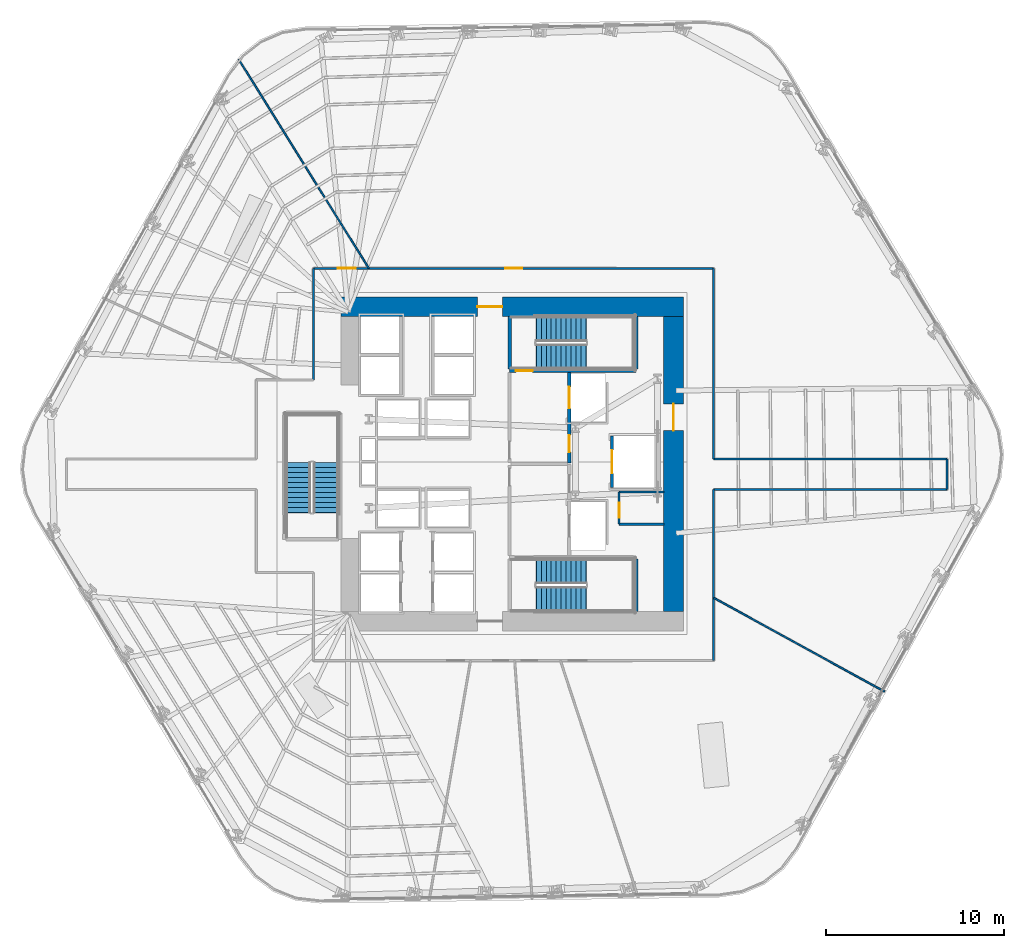
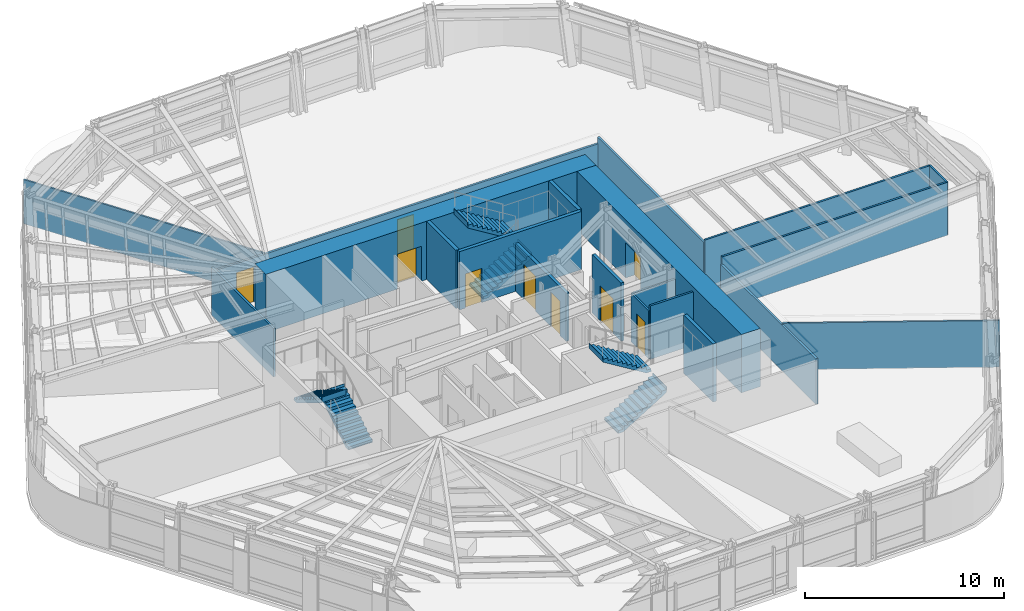
# One storey, part 9 of 15: 20 walls, 9 doors, 6 stair flights, 9 openings, 3 elements without a shape of their own.
"""IFC4 building model written with IfcOpenShell, lengths in metres."""

import ifcopenshell
import ifcopenshell.guid

model = None  # the IFC model being written
_history = None  # IfcOwnerHistory: only IFC2X3 demands one
_inside = {}  # id of a spatial element -> (the spatial element, [elements in it])
_under = {}  # id of a project, library or spatial element -> (it, [spatial elements below it])
_declared = {}  # id of a project -> (the project, [libraries it declares])
_typed = {}  # id of a type object -> (the type object, [elements of that type])
_made_of = {}  # id of a material, layer set ... -> (it, [elements and type objects made of it])


def new_model(schema):
    """Start an empty IFC model of exactly this schema.

    Asked for "IFC4X3", IfcOpenShell would pick the latest addendum, in which some entities
    have other attributes; the version numbers below select the first issue.
    IFC2X3 requires an IfcOwnerHistory on every rooted entity: one is made here for all.
    """
    global model, _history
    if schema == "IFC4X3":
        model = ifcopenshell.file(schema_version=(4, 3, 0, 0))
    else:
        model = ifcopenshell.file(schema=schema)
    _inside.clear()
    _under.clear()
    _declared.clear()
    _typed.clear()
    _made_of.clear()
    _history = None
    if model.schema == "IFC2X3":
        org = make("IfcOrganization", Name="unknown")
        user = make(
            "IfcPersonAndOrganization",
            ThePerson=make("IfcPerson", FamilyName="unknown"),
            TheOrganization=org,
        )
        app = make(
            "IfcApplication",
            ApplicationDeveloper=org,
            Version="unknown",
            ApplicationFullName="unknown",
            ApplicationIdentifier="unknown",
        )
        _history = make(
            "IfcOwnerHistory",
            OwningUser=user,
            OwningApplication=app,
            ChangeAction="ADDED",
            CreationDate=0,
        )
    return model


def make(cls, **values):
    """One entity of the class cls with the attributes given. An attribute that is None is left unset."""
    return model.create_entity(
        cls, **{name: value for name, value in values.items() if value is not None}
    )


def rooted(cls, **values):
    """An entity with a GlobalId (a new one), such as an element, a storey or a relation."""
    return make(cls, GlobalId=ifcopenshell.guid.new(), OwnerHistory=_history, **values)


def si_unit(unit_type, name, prefix=None):
    """IfcSIUnit, for example si_unit("LENGTHUNIT", "METRE", prefix="MILLI")."""
    return make("IfcSIUnit", UnitType=unit_type, Prefix=prefix, Name=name)


def assignment(units):
    """IfcUnitAssignment: the units of a project."""
    return None if units is None else make("IfcUnitAssignment", Units=units)


def point(xyz):
    """IfcCartesianPoint."""
    return None if xyz is None else make("IfcCartesianPoint", Coordinates=xyz)


def direction(xyz):
    """IfcDirection."""
    return None if xyz is None else make("IfcDirection", DirectionRatios=xyz)


def frame(location, z_axis=None, x_axis=None):
    """IfcAxis2Placement3D, a coordinate frame: its origin and axes. An axis left out is left unset."""
    return make(
        "IfcAxis2Placement3D",
        Location=point(location),
        Axis=direction(z_axis),
        RefDirection=direction(x_axis),
    )


def frame_2d(location, x_axis=None):
    """IfcAxis2Placement2D, a coordinate frame in the plane: its origin and x axis."""
    return make(
        "IfcAxis2Placement2D", Location=point(location), RefDirection=direction(x_axis)
    )


def origin():
    """The frame at (0, 0, 0) with its axes left unset."""
    return frame((0.0, 0.0, 0.0))


def place(relative_to, where):
    """IfcLocalPlacement: puts the frame where relative to a parent placement (None: the world)."""
    return make(
        "IfcLocalPlacement", PlacementRelTo=relative_to, RelativePlacement=where
    )


def context(
    kind, dimensions, precision=None, world=None, true_north=None, identifier=None
):
    """IfcGeometricRepresentationContext, for example the 3D "Model" context."""
    return make(
        "IfcGeometricRepresentationContext",
        ContextIdentifier=identifier,
        ContextType=kind,
        CoordinateSpaceDimension=dimensions,
        Precision=precision,
        WorldCoordinateSystem=world,
        TrueNorth=true_north,
    )


def subcontext(parent, identifier, kind, view, scale=None):
    """IfcGeometricRepresentationSubContext, for example "Body" below "Model"."""
    return make(
        "IfcGeometricRepresentationSubContext",
        ContextIdentifier=identifier,
        ContextType=kind,
        ParentContext=parent,
        TargetScale=scale,
        TargetView=view,
    )


def project(units=None, contexts=None):
    """IfcProject with its units and contexts."""
    return rooted(
        "IfcProject",
        Name="project",
        RepresentationContexts=contexts,
        UnitsInContext=assignment(units),
    )


def spatial(cls, under=None, at=None, **own):
    """A site, building, storey or space (cls), placed at a placement, below another one or the project."""
    s = rooted(cls, ObjectPlacement=at, **own)
    if under is not None:
        _under.setdefault(under.id(), (under, []))[1].append(s)
    return s


def polyline(points):
    """IfcPolyline through the points."""
    return make("IfcPolyline", Points=[point(p) for p in points])


def profile(cls, at=None, kind="AREA", **sizes):
    """A parametric profile (cls). Its sizes go by their IFC names, for example OverallWidth=200.0."""
    return make(cls, ProfileType=kind, Position=at, **sizes)


def rectangle(**sizes):
    """IfcRectangleProfileDef."""
    return profile("IfcRectangleProfileDef", **sizes)


def outline(outer, holes=None, kind="AREA"):
    """IfcArbitraryClosedProfileDef: a profile drawn as a closed curve; with holes, ...WithVoids."""
    if holes is None:
        return make("IfcArbitraryClosedProfileDef", ProfileType=kind, OuterCurve=outer)
    return make(
        "IfcArbitraryProfileDefWithVoids",
        ProfileType=kind,
        OuterCurve=outer,
        InnerCurves=holes,
    )


def extrude(swept, where, along, depth):
    """IfcExtrudedAreaSolid: the profile swept, set in the frame where, extruded along a direction by depth."""
    return make(
        "IfcExtrudedAreaSolid",
        SweptArea=swept,
        Position=where,
        ExtrudedDirection=direction(along),
        Depth=depth,
    )


def shape(context_of_items, identifier, shape_type, items):
    """IfcShapeRepresentation: the items that make up one representation, for example the "Body"."""
    return make(
        "IfcShapeRepresentation",
        ContextOfItems=context_of_items,
        RepresentationIdentifier=identifier,
        RepresentationType=shape_type,
        Items=items,
    )


def material(Name=None, Category=None):
    """IfcMaterial."""
    return make("IfcMaterial", Name=Name, Category=Category)


def layer(
    of_material, thickness, ventilated=None, Name=None, Category=None, Priority=None
):
    """IfcMaterialLayer: one layer of a wall or slab, of a material (None: an air gap)."""
    return make(
        "IfcMaterialLayer",
        Material=of_material,
        LayerThickness=thickness,
        IsVentilated=ventilated,
        Name=Name,
        Category=Category,
        Priority=Priority,
    )


def layer_set(layers, Name=None):
    """IfcMaterialLayerSet."""
    return make("IfcMaterialLayerSet", MaterialLayers=layers, LayerSetName=Name)


def made_of(thing, what):
    """Note that an element or type object is made of a material, layer set ...; save() writes the relation."""
    if what is not None:
        _made_of.setdefault(what.id(), (what, []))[1].append(thing)
    return thing


def type_object(cls, material=None, **own):
    """A type object (cls), such as IfcWallType, which elements share."""
    return made_of(rooted(cls, **own), material)


def element(
    cls,
    number,
    at=None,
    inside=None,
    cuts=None,
    type_object=None,
    material=None,
    context=None,
    identifier="Body",
    shape_type=None,
    held_by="IfcProductDefinitionShape",
    body=None,
    shapes=None,
    **own,
):
    """One element of the class cls, such as IfcWall. Its Tag is "e" and its number.

    at: its placement. inside: the storey or other place that contains it. cuts: it is an
    opening in that element (IfcRelVoidsElement). A single representation is given by context,
    identifier, shape_type and body (its items); several are given by shapes. held_by: the class
    of the entity that holds the representations. save() writes the other relations.
    """
    e = rooted(cls, Tag="e%d" % number, ObjectPlacement=at, **own)
    if body is not None:
        shapes = [shape(context, identifier, shape_type, body)]
    if shapes is not None:
        e.Representation = make(held_by, Representations=shapes)
    if inside is not None:
        _inside.setdefault(inside.id(), (inside, []))[1].append(e)
    if cuts is not None:
        rooted(
            "IfcRelVoidsElement", RelatingBuildingElement=cuts, RelatedOpeningElement=e
        )
    if type_object is not None:
        _typed.setdefault(type_object.id(), (type_object, []))[1].append(e)
    return made_of(e, material)


def fill(opening, filler):
    """IfcRelFillsElement: the door or window that sits in an opening."""
    return rooted(
        "IfcRelFillsElement",
        RelatingOpeningElement=opening,
        RelatedBuildingElement=filler,
    )


def aggregate(whole, parts):
    """IfcRelAggregates: a whole, such as a stair, and the parts it consists of."""
    return rooted("IfcRelAggregates", RelatingObject=whole, RelatedObjects=parts)


def save(model, path):
    """Write the relations noted so far, then the file.

    IfcRelAggregates (storeys below a building ...), IfcRelContainedInSpatialStructure (elements
    in a storey), IfcRelDefinesByType, IfcRelAssociatesMaterial and IfcRelDeclares: one each for
    every whole, place, type object, material and project.
    """
    for whole, parts in _under.values():
        aggregate(whole, parts)
    for where, things in _inside.values():
        rooted(
            "IfcRelContainedInSpatialStructure",
            RelatedElements=things,
            RelatingStructure=where,
        )
    for kind, things in _typed.values():
        rooted("IfcRelDefinesByType", RelatedObjects=things, RelatingType=kind)
    for what, things in _made_of.values():
        rooted("IfcRelAssociatesMaterial", RelatedObjects=things, RelatingMaterial=what)
    for by, libraries in _declared.values():
        rooted("IfcRelDeclares", RelatingContext=by, RelatedDefinitions=libraries)
    model.write(path)


model = new_model("IFC4")

# Units and contexts
model_context = context("Model", 3, precision=1e-05, world=origin(), true_north=direction((0.0, 1.0)))
body_context = subcontext(model_context, "Body", "Model", "MODEL_VIEW")
ifc_project = project(units=[si_unit("LENGTHUNIT", "METRE"), si_unit("AREAUNIT", "SQUARE_METRE"), si_unit("VOLUMEUNIT", "CUBIC_METRE"), si_unit("PLANEANGLEUNIT", "RADIAN"), si_unit("MASSUNIT", "GRAM", prefix="KILO")], contexts=[model_context])

# Site, building, storey
site_placement = place(None, origin())
site = spatial("IfcSite", under=ifc_project, at=site_placement, CompositionType="ELEMENT")
building_placement = place(site_placement, origin())
building = spatial("IfcBuilding", under=site, at=building_placement, Name="Valkerne Bourse Tower", CompositionType="ELEMENT")
storey_placement = place(building_placement, frame((0.0, 0.0, 27.800048828125)))
storey = spatial("IfcBuildingStorey", under=building, at=storey_placement, Name="L06", CompositionType="ELEMENT", Elevation=27.800048828125)

# Wall, opening, door
ifc_material_1 = material(Name="Concrete C70/85", Category="concrete")
ifc_layer_1 = layer(ifc_material_1, 1.10009765625)
ifc_layer_set_1 = layer_set([ifc_layer_1], Name="Concrete C70/85")
wall_type_1 = type_object("IfcWallType", Name="W-CORE-1100", PredefinedType="SHEAR", material=ifc_layer_set_1)
wall_1_placement = place(storey_placement, frame((37.199951171875, 35.699951171875, 0.0), z_axis=(0.0, 0.0, 1.0), x_axis=(1.0, 0.0, 0.0)))
wall_1 = element("IfcWall", 1, at=wall_1_placement, inside=storey, type_object=wall_type_1, Name="L06 Core Shear Wall NORTH", PredefinedType="SHEAR", context=body_context, shape_type="SweptSolid", body=[
    extrude(rectangle(XDim=19.199951171875, YDim=1.10009765625, at=frame_2d((9.60009765625, 0.0))), origin(), (0.0, 0.0, 1.0), 3.579833984375),
])
opening_1_placement = place(wall_1_placement, frame((7.64990234375, 0.0, 0.0)))
opening_1 = element("IfcOpeningElement", 2, at=opening_1_placement, cuts=wall_1, Name="Opening D-PL-1400", PredefinedType="OPENING", context=body_context, shape_type="SweptSolid", body=[
    extrude(rectangle(XDim=1.39990234375, YDim=2.14990234375, at=frame_2d((0.699951171875, 1.074951171875))), frame((0.0, 0.56005859375, 0.0), z_axis=(0.0, -1.0, 0.0), x_axis=(1.0, 0.0, 0.0)), (0.0, 0.0, 1.0), 1.1201171875),
])
ifc_material_2 = material(Name="Galvanised Painted Steel", Category="steel")
door_type_1 = type_object("IfcDoorType", Name="DR-PLT-1400", OperationType="DOUBLE_DOOR_SINGLE_SWING", PredefinedType="DOOR", material=ifc_material_2)
door_1_placement = place(opening_1_placement, origin())
door_1 = element("IfcDoor", 3, at=door_1_placement, inside=storey, type_object=door_type_1, Name="L06 North Passenger Lift Hall Fire Door", OperationType="DOUBLE_DOOR_SINGLE_SWING", OverallHeight=2.14990234375, OverallWidth=1.39990234375, PredefinedType="DOOR", context=body_context, shape_type="SweptSolid", body=[
    extrude(rectangle(XDim=1.39990234375, YDim=2.14990234375, at=frame_2d((0.699951171875, 1.074951171875))), frame((0.0, 0.02490234375, 0.0), z_axis=(0.0, -1.0, 0.0), x_axis=(1.0, 0.0, 0.0)), (0.0, 0.0, 1.0), 0.050048828125),
])
fill(opening_1, door_1)

wall_2_placement = place(storey_placement, frame((55.85009765625, 18.60009765625, 0.0), z_axis=(0.0, 0.0, 1.0), x_axis=(0.0, 1.0, 0.0)))
wall_2 = element("IfcWall", 4, at=wall_2_placement, inside=storey, type_object=wall_type_1, Name="L06 Core Shear Wall EAST", PredefinedType="SHEAR", context=body_context, shape_type="SweptSolid", body=[
    extrude(rectangle(XDim=16.5498046875, YDim=1.10009765625, at=frame_2d((8.27490234375, 0.0))), origin(), (0.0, 0.0, 1.0), 3.579833984375),
])
opening_2_placement = place(wall_2_placement, frame((10.14990234375, 0.0, 0.0)))
opening_2 = element("IfcOpeningElement", 5, at=opening_2_placement, cuts=wall_2, Name="Opening D-CR-1500", PredefinedType="OPENING", context=body_context, shape_type="SweptSolid", body=[
    extrude(rectangle(XDim=1.5, YDim=2.14990234375, at=frame_2d((0.75, 1.074951171875))), frame((0.0, 0.56005859375, 0.0), z_axis=(0.0, -1.0, 0.0), x_axis=(1.0, 0.0, 0.0)), (0.0, 0.0, 1.0), 1.1201171875),
])
door_type_2 = type_object("IfcDoorType", Name="DR-CORR-1500", OperationType="DOUBLE_DOOR_SINGLE_SWING", PredefinedType="DOOR", material=ifc_material_2)
door_2_placement = place(opening_2_placement, origin())
door_2 = element("IfcDoor", 6, at=door_2_placement, inside=storey, type_object=door_type_2, Name="L06 East Core Service Lobby Fire Door", OperationType="DOUBLE_DOOR_SINGLE_SWING", OverallHeight=2.14990234375, OverallWidth=1.5, PredefinedType="DOOR", context=body_context, shape_type="SweptSolid", body=[
    extrude(rectangle(XDim=1.5, YDim=2.14990234375, at=frame_2d((0.75, 1.074951171875))), frame((0.0, 0.02490234375, 0.0), z_axis=(0.0, -1.0, 0.0), x_axis=(1.0, 0.0, 0.0)), (0.0, 0.0, 1.0), 0.050048828125),
])
fill(opening_2, door_2)

ifc_material_3 = material(Name="Gypsum Board Steel-Stud Partition", Category="steel")
ifc_layer_2 = layer(ifc_material_3, 0.117919921875)
ifc_layer_set_2 = layer_set([ifc_layer_2], Name="Gypsum Board Steel-Stud Partition")
wall_type_2 = type_object("IfcWallType", Name="W-CORR-140", PredefinedType="PARTITIONING", material=ifc_layer_set_2)
wall_3_placement = place(storey_placement, frame((52.800048828125, 23.5, 0.0), z_axis=(0.0, 0.0, 1.0), x_axis=(0.0, 1.0, 0.0)))
wall_3 = element("IfcWall", 7, at=wall_3_placement, inside=storey, type_object=wall_type_2, Name="L06 Core SE North-Bay West Wall", PredefinedType="PARTITIONING", context=body_context, shape_type="SweptSolid", body=[
    extrude(rectangle(XDim=1.800048828125, YDim=0.117919921875, at=frame_2d((0.89990234375, 0.0))), origin(), (0.0, 0.0, 1.0), 2.957763671875),
])
opening_3_placement = place(wall_3_placement, frame((0.35009765625, 0.0, 0.0)))
opening_3 = element("IfcOpeningElement", 8, at=opening_3_placement, cuts=wall_3, Name="Opening D-WC-900", PredefinedType="OPENING", context=body_context, shape_type="SweptSolid", body=[
    extrude(rectangle(XDim=0.860107421875, YDim=2.050048828125, at=frame_2d((0.43017578125, 1.02490234375))), frame((0.0, 0.06884765625, 0.0), z_axis=(0.0, -1.0, 0.0), x_axis=(1.0, 0.0, 0.0)), (0.0, 0.0, 1.0), 0.137939453125),
])
ifc_material_4 = material(Name="Architectural White Oak Timber", Category="wood")
door_type_3 = type_object("IfcDoorType", Name="DR-WC-900", OperationType="NOTDEFINED", PredefinedType="DOOR", material=ifc_material_4)
door_3_placement = place(opening_3_placement, origin())
door_3 = element("IfcDoor", 9, at=door_3_placement, inside=storey, type_object=door_type_3, Name="L06 Telecom Closet Door", OperationType="SINGLE_SWING_LEFT", OverallHeight=2.050048828125, OverallWidth=0.860107421875, PredefinedType="DOOR", context=body_context, shape_type="SweptSolid", body=[
    extrude(rectangle(XDim=0.860107421875, YDim=2.050048828125, at=frame_2d((0.43017578125, 1.02490234375))), frame((0.0, 0.02490234375, 0.0), z_axis=(0.0, -1.0, 0.0), x_axis=(1.0, 0.0, 0.0)), (0.0, 0.0, 1.0), 0.050048828125),
])
fill(opening_3, door_3)

# Walls
wall_4_placement = place(storey_placement, frame((52.800048828125, 23.5, 0.0), z_axis=(0.0, 0.0, 1.0), x_axis=(1.0, 0.0, 0.0)))
element("IfcWall", 10, at=wall_4_placement, inside=storey, type_object=wall_type_2, Name="L06 Core SE North-Bay South Wall", PredefinedType="PARTITIONING", context=body_context, shape_type="SweptSolid", body=[
    extrude(rectangle(XDim=2.52001953125, YDim=0.117919921875, at=frame_2d((1.260009765625, 0.0))), origin(), (0.0, 0.0, 1.0), 3.280029296875),
])
wall_5_placement = place(storey_placement, frame((52.800048828125, 25.300048828125, 0.0), z_axis=(0.0, 0.0, 1.0), x_axis=(1.0, 0.0, 0.0)))
element("IfcWall", 11, at=wall_5_placement, inside=storey, type_object=wall_type_2, Name="L06 Core SE North-Bay North Wall", PredefinedType="PARTITIONING", context=body_context, shape_type="SweptSolid", body=[
    extrude(rectangle(XDim=2.52001953125, YDim=0.117919921875, at=frame_2d((1.260009765625, 0.0))), origin(), (0.0, 0.0, 1.0), 2.957763671875),
])
wall_6_placement = place(storey_placement, frame((58.10009765625, 27.14990234375, 0.0), z_axis=(0.0, 0.0, 1.0), x_axis=(1.0, 0.0, 0.0)))
element("IfcWall", 12, at=wall_6_placement, inside=storey, type_object=wall_type_2, Name="L06 Corridor Enclosure Wall", PredefinedType="PARTITIONING", context=body_context, shape_type="SweptSolid", body=[
    extrude(rectangle(XDim=13.099853515625, YDim=0.117919921875, at=frame_2d((6.5498046875, 0.0))), origin(), (0.0, 0.0, 1.0), 3.260009765625),
])
wall_7_placement = place(storey_placement, frame((71.199951171875, 27.14990234375, 0.0), z_axis=(0.0, 0.0, 1.0), x_axis=(0.0, -1.0, 0.0)))
element("IfcWall", 13, at=wall_7_placement, inside=storey, type_object=wall_type_2, Name="L06 Corridor Enclosure Wall", PredefinedType="PARTITIONING", context=body_context, shape_type="SweptSolid", body=[
    extrude(rectangle(XDim=1.699951171875, YDim=0.117919921875, at=frame_2d((0.85009765625, 0.0))), origin(), (0.0, 0.0, 1.0), 3.260009765625),
])
wall_8_placement = place(storey_placement, frame((71.199951171875, 25.449951171875, 0.0), z_axis=(0.0, 0.0, 1.0), x_axis=(-1.0, 0.0, 0.0)))
element("IfcWall", 14, at=wall_8_placement, inside=storey, type_object=wall_type_2, Name="L06 Corridor Enclosure Wall", PredefinedType="PARTITIONING", context=body_context, shape_type="SweptSolid", body=[
    extrude(rectangle(XDim=13.099853515625, YDim=0.117919921875, at=frame_2d((6.5498046875, 0.0))), origin(), (0.0, 0.0, 1.0), 3.260009765625),
])
wall_9_placement = place(storey_placement, frame((58.10009765625, 25.449951171875, 0.0), z_axis=(0.0, 0.0, 1.0), x_axis=(0.0, -1.0, 0.0)))
element("IfcWall", 15, at=wall_9_placement, inside=storey, type_object=wall_type_2, Name="L06 Corridor Enclosure Wall", PredefinedType="PARTITIONING", context=body_context, shape_type="SweptSolid", body=[
    extrude(rectangle(XDim=9.599853515625, YDim=0.117919921875, at=frame_2d((4.7998046875, 0.0))), origin(), (0.0, 0.0, 1.0), 2.80029296875),
])
wall_10_placement = place(storey_placement, frame((35.64990234375, 31.60009765625, 0.0), z_axis=(0.0, 0.0, 1.0), x_axis=(0.0, 1.0, 0.0)))
element("IfcWall", 16, at=wall_10_placement, inside=storey, type_object=wall_type_2, Name="L06 Corridor Enclosure Wall", PredefinedType="PARTITIONING", context=body_context, shape_type="SweptSolid", body=[
    extrude(rectangle(XDim=6.25, YDim=0.117919921875, at=frame_2d((3.125, 0.0))), origin(), (0.0, 0.0, 1.0), 2.962646484375),
])

# Wall, openings, doors
wall_11_placement = place(storey_placement, frame((35.64990234375, 37.85009765625, 0.0), z_axis=(0.0, 0.0, 1.0), x_axis=(1.0, 0.0, 0.0)))
wall_11 = element("IfcWall", 17, at=wall_11_placement, inside=storey, type_object=wall_type_2, Name="L06 Corridor Enclosure Wall", PredefinedType="PARTITIONING", context=body_context, shape_type="SweptSolid", body=[
    extrude(rectangle(XDim=22.4501953125, YDim=0.117919921875, at=frame_2d((11.22509765625, 0.0))), origin(), (0.0, 0.0, 1.0), 2.71142578125),
])
opening_4_placement = place(wall_11_placement, frame((1.364990234375, 0.0, 0.0)))
opening_4 = element("IfcOpeningElement", 18, at=opening_4_placement, cuts=wall_11, Name="Opening D-MG-1000", PredefinedType="OPENING", context=body_context, shape_type="SweptSolid", body=[
    extrude(rectangle(XDim=1.0, YDim=2.14990234375, at=frame_2d((0.5, 1.074951171875))), frame((0.0, 0.06884765625, 0.0), z_axis=(0.0, -1.0, 0.0), x_axis=(1.0, 0.0, 0.0)), (0.0, 0.0, 1.0), 0.137939453125),
])
opening_5_placement = place(wall_11_placement, frame((10.75, 0.0, 0.0)))
opening_5 = element("IfcOpeningElement", 19, at=opening_5_placement, cuts=wall_11, Name="Opening D-OF-950", PredefinedType="OPENING", context=body_context, shape_type="SweptSolid", body=[
    extrude(rectangle(XDim=0.949951171875, YDim=2.10009765625, at=frame_2d((0.47509765625, 1.050048828125))), frame((0.0, 0.06884765625, 0.0), z_axis=(0.0, -1.0, 0.0), x_axis=(1.0, 0.0, 0.0)), (0.0, 0.0, 1.0), 0.137939453125),
])
ifc_material_5 = material(Name="Laminated Tempered Safety Glass", Category="glass")
door_type_4 = type_object("IfcDoorType", Name="DR-MTG-1000", OperationType="NOTDEFINED", PredefinedType="DOOR", material=ifc_material_5)
door_4_placement = place(opening_4_placement, origin())
door_4 = element("IfcDoor", 20, at=door_4_placement, inside=storey, type_object=door_type_4, Name="L06 L06 Client Strategy Conference Room 3 Door", OperationType="SINGLE_SWING_RIGHT", OverallHeight=2.14990234375, OverallWidth=1.0, PredefinedType="DOOR", context=body_context, shape_type="SweptSolid", body=[
    extrude(rectangle(XDim=1.0, YDim=2.14990234375, at=frame_2d((0.5, 1.074951171875))), frame((0.0, 0.02490234375, 0.0), z_axis=(0.0, -1.0, 0.0), x_axis=(1.0, 0.0, 0.0)), (0.0, 0.0, 1.0), 0.050048828125),
])
fill(opening_4, door_4)
door_type_5 = type_object("IfcDoorType", Name="DR-OFF-950", OperationType="NOTDEFINED", PredefinedType="DOOR", material=ifc_material_4)
door_5_placement = place(opening_5_placement, origin())
door_5 = element("IfcDoor", 21, at=door_5_placement, inside=storey, type_object=door_type_5, Name="L06 L06 Hospitality Catering Kitchen 6 Door", OperationType="SINGLE_SWING_RIGHT", OverallHeight=2.10009765625, OverallWidth=0.949951171875, PredefinedType="DOOR", context=body_context, shape_type="SweptSolid", body=[
    extrude(rectangle(XDim=0.949951171875, YDim=2.10009765625, at=frame_2d((0.47509765625, 1.050048828125))), frame((0.0, 0.02490234375, 0.0), z_axis=(0.0, -1.0, 0.0), x_axis=(1.0, 0.0, 0.0)), (0.0, 0.0, 1.0), 0.050048828125),
])
fill(opening_5, door_5)

# Wall
wall_12_placement = place(storey_placement, frame((58.10009765625, 37.85009765625, 0.0), z_axis=(0.0, 0.0, 1.0), x_axis=(0.0, -1.0, 0.0)))
element("IfcWall", 22, at=wall_12_placement, inside=storey, type_object=wall_type_2, Name="L06 Corridor Enclosure Wall", PredefinedType="PARTITIONING", context=body_context, shape_type="SweptSolid", body=[
    extrude(rectangle(XDim=10.7001953125, YDim=0.117919921875, at=frame_2d((5.35009765625, 0.0))), origin(), (0.0, 0.0, 1.0), 3.107666015625),
])

# Wall, openings, doors
ifc_material_6 = material(Name="Gypsum Fire-Rated Shaftwall", Category="gypsum")
ifc_layer_3 = layer(ifc_material_6, 0.179931640625)
ifc_layer_set_3 = layer_set([ifc_layer_3], Name="Gypsum Fire-Rated Shaftwall")
wall_type_3 = type_object("IfcWallType", Name="W-FSAE-180", PredefinedType="PARTITIONING", material=ifc_layer_set_3)
wall_13_placement = place(storey_placement, frame((50.0, 26.919921875, 0.0), z_axis=(0.0, 0.0, 1.0), x_axis=(0.0, 1.0, 0.0)))
wall_13 = element("IfcWall", 23, at=wall_13_placement, inside=storey, type_object=wall_type_3, Name="L06 FSAE-2 Lobby & Shaft Front Wall", PredefinedType="PARTITIONING", context=body_context, shape_type="SweptSolid", body=[
    extrude(rectangle(XDim=5.080078125, YDim=0.179931640625, at=frame_2d((2.5400390625, 0.0))), origin(), (0.0, 0.0, 1.0), 2.957763671875),
])
opening_6_placement = place(wall_13_placement, frame((3.080078125, 0.0, 0.0)))
opening_6 = element("IfcOpeningElement", 24, at=opening_6_placement, cuts=wall_13, Name="Opening LD-1200", PredefinedType="OPENING", context=body_context, shape_type="SweptSolid", body=[
    extrude(rectangle(XDim=1.199951171875, YDim=2.14990234375, at=frame_2d((0.60009765625, 1.074951171875))), frame((0.0, 0.099853515625, 0.0), z_axis=(0.0, -1.0, 0.0), x_axis=(1.0, 0.0, 0.0)), (0.0, 0.0, 1.0), 0.199951171875),
])
opening_7_placement = place(wall_13_placement, frame((0.6298828125, 0.0, 0.0)))
opening_7 = element("IfcOpeningElement", 25, at=opening_7_placement, cuts=wall_13, Name="Opening D-FS-950", PredefinedType="OPENING", context=body_context, shape_type="SweptSolid", body=[
    extrude(rectangle(XDim=0.949951171875, YDim=2.10009765625, at=frame_2d((0.47509765625, 1.050048828125))), frame((0.0, 0.099853515625, 0.0), z_axis=(0.0, -1.0, 0.0), x_axis=(1.0, 0.0, 0.0)), (0.0, 0.0, 1.0), 0.199951171875),
])
door_type_6 = type_object("IfcDoorType", Name="DR-FSAE-950", OperationType="NOTDEFINED", PredefinedType="DOOR", material=ifc_material_2)
door_6_placement = place(opening_7_placement, origin())
door_6 = element("IfcDoor", 26, at=door_6_placement, inside=storey, type_object=door_type_6, Name="L06 FSAE-2 Lobby Corridor Fire Door", OperationType="SINGLE_SWING_LEFT", OverallHeight=2.10009765625, OverallWidth=0.949951171875, PredefinedType="DOOR", context=body_context, shape_type="SweptSolid", body=[
    extrude(rectangle(XDim=0.949951171875, YDim=2.10009765625, at=frame_2d((0.47509765625, 1.050048828125))), frame((0.0, 0.02490234375, 0.0), z_axis=(0.0, -1.0, 0.0), x_axis=(1.0, 0.0, 0.0)), (0.0, 0.0, 1.0), 0.050048828125),
])
fill(opening_7, door_6)
ifc_material_7 = material(Name="Stainless Steel AISI 316", Category="steel")
door_type_7 = type_object("IfcDoorType", Name="DR-LIFT-1200", OperationType="DOUBLE_DOOR_SLIDING", PredefinedType="DOOR", material=ifc_material_7)
door_7_placement = place(opening_6_placement, origin())
door_7 = element("IfcDoor", 27, at=door_7_placement, inside=storey, type_object=door_type_7, Name="L06 FSAE-2 Firefighting Lift Landing Door", OperationType="DOUBLE_DOOR_SLIDING", OverallHeight=2.14990234375, OverallWidth=1.199951171875, PredefinedType="DOOR", context=body_context, shape_type="SweptSolid", body=[
    extrude(rectangle(XDim=1.199951171875, YDim=2.14990234375, at=frame_2d((0.60009765625, 1.074951171875))), frame((0.0, 0.02490234375, 0.0), z_axis=(0.0, -1.0, 0.0), x_axis=(1.0, 0.0, 0.0)), (0.0, 0.0, 1.0), 0.050048828125),
])
fill(opening_6, door_7)

# Wall, opening, door
ifc_material_8 = material(Name="CMU Blockwork Masonry 200mm", Category="masonry")
ifc_layer_4 = layer(ifc_material_8, 0.179931640625)
ifc_layer_set_4 = layer_set([ifc_layer_4], Name="CMU Blockwork Masonry 200mm")
wall_type_4 = type_object("IfcWallType", Name="W-LFT-180", PredefinedType="SOLIDWALL", material=ifc_layer_set_4)
wall_14_placement = place(storey_placement, frame((52.39990234375, 25.550048828125, 0.0), z_axis=(0.0, 0.0, 1.0), x_axis=(0.0, 1.0, 0.0)))
wall_14 = element("IfcWall", 28, at=wall_14_placement, inside=storey, type_object=wall_type_4, Name="L06 Service Lift SV-1 Front Wall", PredefinedType="SOLIDWALL", context=body_context, shape_type="SweptSolid", body=[
    extrude(rectangle(XDim=2.89990234375, YDim=0.179931640625, at=frame_2d((1.449951171875, 0.0))), origin(), (0.0, 0.0, 1.0), 3.579833984375),
])
opening_8_placement = place(wall_14_placement, frame((0.800048828125, 0.0, 0.0)))
opening_8 = element("IfcOpeningElement", 29, at=opening_8_placement, cuts=wall_14, Name="Opening LD-1300", PredefinedType="OPENING", context=body_context, shape_type="SweptSolid", body=[
    extrude(rectangle(XDim=1.300048828125, YDim=2.14990234375, at=frame_2d((0.64990234375, 1.074951171875))), frame((0.0, 0.099853515625, 0.0), z_axis=(0.0, -1.0, 0.0), x_axis=(1.0, 0.0, 0.0)), (0.0, 0.0, 1.0), 0.199951171875),
])
door_type_8 = type_object("IfcDoorType", Name="DR-LIFT-1300", OperationType="DOUBLE_DOOR_SLIDING", PredefinedType="DOOR", material=ifc_material_7)
door_8_placement = place(opening_8_placement, origin())
door_8 = element("IfcDoor", 30, at=door_8_placement, inside=storey, type_object=door_type_8, Name="L06 Service Lift SV-1 Landing Door", OperationType="DOUBLE_DOOR_SLIDING", OverallHeight=2.14990234375, OverallWidth=1.300048828125, PredefinedType="DOOR", context=body_context, shape_type="SweptSolid", body=[
    extrude(rectangle(XDim=1.300048828125, YDim=2.14990234375, at=frame_2d((0.64990234375, 1.074951171875))), frame((0.0, 0.02490234375, 0.0), z_axis=(0.0, -1.0, 0.0), x_axis=(1.0, 0.0, 0.0)), (0.0, 0.0, 1.0), 0.050048828125),
])
fill(opening_8, door_8)

# Walls
ifc_layer_5 = layer(ifc_material_3, 0.092041015625)
ifc_layer_set_5 = layer_set([ifc_layer_5], Name="Gypsum Board Steel-Stud Partition")
wall_type_5 = type_object("IfcWallType", Name="W-PART-115", PredefinedType="PARTITIONING", material=ifc_layer_set_5)
wall_15_placement = place(storey_placement, frame((58.10498046875, 19.367919921875, 0.0), z_axis=(0.0, 0.0, 1.0), x_axis=(0.876704708283, -0.481028953884, 0.0)))
element("IfcWall", 31, at=wall_15_placement, inside=storey, type_object=wall_type_5, Name="L06 Suite Partition P04", PredefinedType="PARTITIONING", context=body_context, shape_type="SweptSolid", body=[
    extrude(rectangle(XDim=10.946533203125, YDim=0.092041015625, at=frame_2d((5.47314453125, 0.0))), origin(), (0.0, 0.0, 1.0), 2.86376953125),
])
wall_16_placement = place(storey_placement, frame((38.75537109375, 37.85498046875, 0.0), z_axis=(0.0, 0.0, 1.0), x_axis=(-0.528616880212, 0.848860526798, 0.0)))
element("IfcWall", 32, at=wall_16_placement, inside=storey, type_object=wall_type_5, Name="L06 Suite Partition P05", PredefinedType="PARTITIONING", context=body_context, shape_type="SweptSolid", body=[
    extrude(rectangle(XDim=13.8056640625, YDim=0.092041015625, at=frame_2d((6.90283203125, 0.0))), origin(), (0.0, 0.0, 1.0), 2.71142578125),
])
ifc_material_9 = material(Name="Concrete C40/50", Category="concrete")
ifc_layer_6 = layer(ifc_material_9, 0.199951171875)
ifc_layer_set_6 = layer_set([ifc_layer_6], Name="Concrete C40/50")
wall_type_6 = type_object("IfcWallType", Name="W-SHF-200", PredefinedType="SHEAR", material=ifc_layer_set_6)
wall_17_placement = place(storey_placement, frame((53.75, 18.60009765625, 0.0), z_axis=(0.0, 0.0, 1.0), x_axis=(0.0, 1.0, 0.0)))
element("IfcWall", 33, at=wall_17_placement, inside=storey, type_object=wall_type_6, Name="L06 Exit Stair ST-1 Structural Shaft Wall East", PredefinedType="SHEAR", context=body_context, shape_type="SweptSolid", body=[
    extrude(rectangle(XDim=2.949951171875, YDim=0.199951171875, at=frame_2d((1.47509765625, 0.0))), origin(), (0.0, 0.0, 1.0), 3.579833984375),
])

# Wall, opening, door
wall_18_placement = place(storey_placement, frame((46.64990234375, 32.10009765625, 0.0), z_axis=(0.0, 0.0, 1.0), x_axis=(1.0, 0.0, 0.0)))
wall_18 = element("IfcWall", 34, at=wall_18_placement, inside=storey, type_object=wall_type_6, Name="L06 Exit Stair ST-2 Structural Shaft Wall South", PredefinedType="SHEAR", context=body_context, shape_type="SweptSolid", body=[
    extrude(rectangle(XDim=7.10009765625, YDim=0.199951171875, at=frame_2d((3.550048828125, 0.0))), origin(), (0.0, 0.0, 1.0), 3.579833984375),
])
opening_9_placement = place(wall_18_placement, frame((0.35009765625, 0.0, 0.0)))
opening_9 = element("IfcOpeningElement", 35, at=opening_9_placement, cuts=wall_18, Name="Opening D-ST-950", PredefinedType="OPENING", context=body_context, shape_type="SweptSolid", body=[
    extrude(rectangle(XDim=0.949951171875, YDim=2.10009765625, at=frame_2d((0.47509765625, 1.050048828125))), frame((0.0, 0.10986328125, 0.0), z_axis=(0.0, -1.0, 0.0), x_axis=(1.0, 0.0, 0.0)), (0.0, 0.0, 1.0), 0.219970703125),
])
door_type_9 = type_object("IfcDoorType", Name="DR-STAIR-950", OperationType="NOTDEFINED", PredefinedType="DOOR", material=ifc_material_2)
door_9_placement = place(opening_9_placement, origin())
door_9 = element("IfcDoor", 36, at=door_9_placement, inside=storey, type_object=door_type_9, Name="L06 Exit Stair ST-2 Door", OperationType="SINGLE_SWING_RIGHT", OverallHeight=2.10009765625, OverallWidth=0.949951171875, PredefinedType="DOOR", context=body_context, shape_type="SweptSolid", body=[
    extrude(rectangle(XDim=0.949951171875, YDim=2.10009765625, at=frame_2d((0.47509765625, 1.050048828125))), frame((0.0, 0.02490234375, 0.0), z_axis=(0.0, -1.0, 0.0), x_axis=(1.0, 0.0, 0.0)), (0.0, 0.0, 1.0), 0.050048828125),
])
fill(opening_9, door_9)

# Walls
for number, where, z_axis, x_axis, name in (
    (37, (46.64990234375, 32.199951171875, 0.0), (0.0, 0.0, 1.0), (0.0, 1.0, 0.0), "L06 Exit Stair ST-2 Structural Shaft Wall West"),
    (38, (53.75, 32.199951171875, 0.0), (0.0, 0.0, 1.0), (0.0, 1.0, 0.0), "L06 Exit Stair ST-2 Structural Shaft Wall East"),
):
    element("IfcWall", number, at=place(storey_placement, frame(where, z_axis=z_axis, x_axis=x_axis)), inside=storey, type_object=wall_type_6, Name=name, PredefinedType="SHEAR", context=body_context, shape_type="SweptSolid", body=[
        extrude(rectangle(XDim=2.949951171875, YDim=0.199951171875, at=frame_2d((1.47509765625, 0.0))), origin(), (0.0, 0.0, 1.0), 3.579833984375),
    ])

# Stair, stair flights
stair_type = type_object("IfcStairType", Name="ST-CORE-1400", PredefinedType="HALF_TURN_STAIR", material=ifc_material_9)
stair_1_placement = place(storey_placement, origin())
stair_1 = element("IfcStair", 39, at=stair_1_placement, inside=storey, type_object=stair_type, Name="L06 ST-1", PredefinedType="HALF_TURN_STAIR")
stair_flight_type = type_object("IfcStairFlightType", Name="STF-CORE-1400", PredefinedType="STRAIGHT", material=ifc_material_9)
stair_flight_1_placement = place(storey_placement, frame((48.14990234375, 19.300048828125, 0.0), z_axis=(0.0, 0.0, 1.0), x_axis=(1.0, 0.0, 0.0)))
stair_flight_1 = element("IfcStairFlight", 40, at=stair_flight_1_placement, type_object=stair_flight_type, Name="ST-1 flight 1", NumberOfRisers=11, NumberOfTreads=10, PredefinedType="STRAIGHT", RiserHeight=0.172727273, TreadLength=0.28, context=body_context, shape_type="SweptSolid", body=[
    extrude(outline(polyline([(-0.02001953125, 0.0), (-0.02001953125, 0.044921875), (0.0, 0.044921875), (0.0, 0.172607421875), (0.280029296875, 0.172607421875), (0.280029296875, 0.345458984375), (0.56005859375, 0.345458984375), (0.56005859375, 0.51806640625), (0.840087890625, 0.51806640625), (0.840087890625, 0.69091796875), (1.1201171875, 0.69091796875), (1.1201171875, 0.863525390625), (1.39990234375, 0.863525390625), (1.39990234375, 1.036376953125), (1.679931640625, 1.036376953125), (1.679931640625, 1.208984375), (1.9599609375, 1.208984375), (1.9599609375, 1.3818359375), (2.239990234375, 1.3818359375), (2.239990234375, 1.554443359375), (2.52001953125, 1.554443359375), (2.52001953125, 1.727294921875), (2.800048828125, 1.727294921875), (2.800048828125, 1.89990234375), (2.820068359375, 1.89990234375), (2.820068359375, 1.780029296875), (2.800048828125, 1.551025390625), (0.285400390625, 0.0), (-0.02001953125, 0.0)])), frame((0.0, 0.699951171875, 0.0), z_axis=(0.0, -1.0, 0.0), x_axis=(1.0, 0.0, 0.0)), (0.0, 0.0, 1.0), 1.39990234375),
])
stair_flight_2_placement = place(storey_placement, frame((50.949951171875, 20.85009765625, 1.89990234375), z_axis=(0.0, 0.0, 1.0), x_axis=(-1.0, 0.0, 0.0)))
stair_flight_2 = element("IfcStairFlight", 41, at=stair_flight_2_placement, type_object=stair_flight_type, Name="ST-1 flight 2", NumberOfRisers=11, NumberOfTreads=10, PredefinedType="STRAIGHT", RiserHeight=0.172727273, TreadLength=0.28, context=body_context, shape_type="SweptSolid", body=[
    extrude(outline(polyline([(-0.02001953125, 0.0), (-0.02001953125, 0.044921875), (0.0, 0.044921875), (0.0, 0.172607421875), (0.280029296875, 0.172607421875), (0.280029296875, 0.345458984375), (0.56005859375, 0.345458984375), (0.56005859375, 0.51806640625), (0.840087890625, 0.51806640625), (0.840087890625, 0.69091796875), (1.1201171875, 0.69091796875), (1.1201171875, 0.863525390625), (1.39990234375, 0.863525390625), (1.39990234375, 1.036376953125), (1.679931640625, 1.036376953125), (1.679931640625, 1.208984375), (1.9599609375, 1.208984375), (1.9599609375, 1.3818359375), (2.239990234375, 1.3818359375), (2.239990234375, 1.554443359375), (2.52001953125, 1.554443359375), (2.52001953125, 1.727294921875), (2.800048828125, 1.727294921875), (2.800048828125, 1.89990234375), (2.820068359375, 1.89990234375), (2.820068359375, 1.780029296875), (2.800048828125, 1.551025390625), (0.285400390625, 0.0), (-0.02001953125, 0.0)])), frame((0.0, 0.699951171875, 0.0), z_axis=(0.0, -1.0, 0.0), x_axis=(1.0, 0.0, 0.0)), (0.0, 0.0, 1.0), 1.39990234375),
])
aggregate(stair_1, [stair_flight_1, stair_flight_2])

stair_2_placement = place(storey_placement, origin())
stair_2 = element("IfcStair", 42, at=stair_2_placement, inside=storey, type_object=stair_type, Name="L06 ST-2", PredefinedType="HALF_TURN_STAIR")
stair_flight_3_placement = place(storey_placement, frame((48.14990234375, 32.89990234375, 0.0), z_axis=(0.0, 0.0, 1.0), x_axis=(1.0, 0.0, 0.0)))
stair_flight_3 = element("IfcStairFlight", 43, at=stair_flight_3_placement, type_object=stair_flight_type, Name="ST-2 flight 1", NumberOfRisers=11, NumberOfTreads=10, PredefinedType="STRAIGHT", RiserHeight=0.172727273, TreadLength=0.28, context=body_context, shape_type="SweptSolid", body=[
    extrude(outline(polyline([(-0.02001953125, 0.0), (-0.02001953125, 0.044921875), (0.0, 0.044921875), (0.0, 0.172607421875), (0.280029296875, 0.172607421875), (0.280029296875, 0.345458984375), (0.56005859375, 0.345458984375), (0.56005859375, 0.51806640625), (0.840087890625, 0.51806640625), (0.840087890625, 0.69091796875), (1.1201171875, 0.69091796875), (1.1201171875, 0.863525390625), (1.39990234375, 0.863525390625), (1.39990234375, 1.036376953125), (1.679931640625, 1.036376953125), (1.679931640625, 1.208984375), (1.9599609375, 1.208984375), (1.9599609375, 1.3818359375), (2.239990234375, 1.3818359375), (2.239990234375, 1.554443359375), (2.52001953125, 1.554443359375), (2.52001953125, 1.727294921875), (2.800048828125, 1.727294921875), (2.800048828125, 1.89990234375), (2.820068359375, 1.89990234375), (2.820068359375, 1.780029296875), (2.800048828125, 1.551025390625), (0.285400390625, 0.0), (-0.02001953125, 0.0)])), frame((0.0, 0.699951171875, 0.0), z_axis=(0.0, -1.0, 0.0), x_axis=(1.0, 0.0, 0.0)), (0.0, 0.0, 1.0), 1.39990234375),
])
stair_flight_4_placement = place(storey_placement, frame((50.949951171875, 34.449951171875, 1.89990234375), z_axis=(0.0, 0.0, 1.0), x_axis=(-1.0, 0.0, 0.0)))
stair_flight_4 = element("IfcStairFlight", 44, at=stair_flight_4_placement, type_object=stair_flight_type, Name="ST-2 flight 2", NumberOfRisers=11, NumberOfTreads=10, PredefinedType="STRAIGHT", RiserHeight=0.172727273, TreadLength=0.28, context=body_context, shape_type="SweptSolid", body=[
    extrude(outline(polyline([(-0.02001953125, 0.0), (-0.02001953125, 0.044921875), (0.0, 0.044921875), (0.0, 0.172607421875), (0.280029296875, 0.172607421875), (0.280029296875, 0.345458984375), (0.56005859375, 0.345458984375), (0.56005859375, 0.51806640625), (0.840087890625, 0.51806640625), (0.840087890625, 0.69091796875), (1.1201171875, 0.69091796875), (1.1201171875, 0.863525390625), (1.39990234375, 0.863525390625), (1.39990234375, 1.036376953125), (1.679931640625, 1.036376953125), (1.679931640625, 1.208984375), (1.9599609375, 1.208984375), (1.9599609375, 1.3818359375), (2.239990234375, 1.3818359375), (2.239990234375, 1.554443359375), (2.52001953125, 1.554443359375), (2.52001953125, 1.727294921875), (2.800048828125, 1.727294921875), (2.800048828125, 1.89990234375), (2.820068359375, 1.89990234375), (2.820068359375, 1.780029296875), (2.800048828125, 1.551025390625), (0.285400390625, 0.0), (-0.02001953125, 0.0)])), frame((0.0, 0.699951171875, 0.0), z_axis=(0.0, -1.0, 0.0), x_axis=(1.0, 0.0, 0.0)), (0.0, 0.0, 1.0), 1.39990234375),
])
aggregate(stair_2, [stair_flight_3, stair_flight_4])

stair_3_placement = place(storey_placement, origin())
stair_3 = element("IfcStair", 45, at=stair_3_placement, inside=storey, type_object=stair_type, Name="L06 ST-3", PredefinedType="HALF_TURN_STAIR")
stair_flight_5_placement = place(storey_placement, frame((36.35009765625, 24.14990234375, 0.0), z_axis=(0.0, 0.0, 1.0), x_axis=(0.0, 1.0, 0.0)))
stair_flight_5 = element("IfcStairFlight", 46, at=stair_flight_5_placement, type_object=stair_flight_type, Name="ST-3 flight 1", NumberOfRisers=11, NumberOfTreads=10, PredefinedType="STRAIGHT", RiserHeight=0.172727273, TreadLength=0.28, context=body_context, shape_type="SweptSolid", body=[
    extrude(outline(polyline([(-0.02001953125, 0.0), (-0.02001953125, 0.044921875), (0.0, 0.044921875), (0.0, 0.172607421875), (0.280029296875, 0.172607421875), (0.280029296875, 0.345458984375), (0.56005859375, 0.345458984375), (0.56005859375, 0.51806640625), (0.840087890625, 0.51806640625), (0.840087890625, 0.69091796875), (1.1201171875, 0.69091796875), (1.1201171875, 0.863525390625), (1.39990234375, 0.863525390625), (1.39990234375, 1.036376953125), (1.679931640625, 1.036376953125), (1.679931640625, 1.208984375), (1.9599609375, 1.208984375), (1.9599609375, 1.3818359375), (2.239990234375, 1.3818359375), (2.239990234375, 1.554443359375), (2.52001953125, 1.554443359375), (2.52001953125, 1.727294921875), (2.800048828125, 1.727294921875), (2.800048828125, 1.89990234375), (2.820068359375, 1.89990234375), (2.820068359375, 1.780029296875), (2.800048828125, 1.551025390625), (0.285400390625, 0.0), (-0.02001953125, 0.0)])), frame((0.0, 0.699951171875, 0.0), z_axis=(0.0, -1.0, 0.0), x_axis=(1.0, 0.0, 0.0)), (0.0, 0.0, 1.0), 1.39990234375),
])
stair_flight_6_placement = place(storey_placement, frame((34.800048828125, 26.949951171875, 1.89990234375), z_axis=(0.0, 0.0, 1.0), x_axis=(0.0, -1.0, 0.0)))
stair_flight_6 = element("IfcStairFlight", 47, at=stair_flight_6_placement, type_object=stair_flight_type, Name="ST-3 flight 2", NumberOfRisers=11, NumberOfTreads=10, PredefinedType="STRAIGHT", RiserHeight=0.172727273, TreadLength=0.28, context=body_context, shape_type="SweptSolid", body=[
    extrude(outline(polyline([(-0.02001953125, 0.0), (-0.02001953125, 0.044921875), (0.0, 0.044921875), (0.0, 0.172607421875), (0.280029296875, 0.172607421875), (0.280029296875, 0.345458984375), (0.56005859375, 0.345458984375), (0.56005859375, 0.51806640625), (0.840087890625, 0.51806640625), (0.840087890625, 0.69091796875), (1.1201171875, 0.69091796875), (1.1201171875, 0.863525390625), (1.39990234375, 0.863525390625), (1.39990234375, 1.036376953125), (1.679931640625, 1.036376953125), (1.679931640625, 1.208984375), (1.9599609375, 1.208984375), (1.9599609375, 1.3818359375), (2.239990234375, 1.3818359375), (2.239990234375, 1.554443359375), (2.52001953125, 1.554443359375), (2.52001953125, 1.727294921875), (2.800048828125, 1.727294921875), (2.800048828125, 1.89990234375), (2.820068359375, 1.89990234375), (2.820068359375, 1.780029296875), (2.800048828125, 1.551025390625), (0.285400390625, 0.0), (-0.02001953125, 0.0)])), frame((0.0, 0.699951171875, 0.0), z_axis=(0.0, -1.0, 0.0), x_axis=(1.0, 0.0, 0.0)), (0.0, 0.0, 1.0), 1.39990234375),
])
aggregate(stair_3, [stair_flight_5, stair_flight_6])

save(model, "model.ifc")
